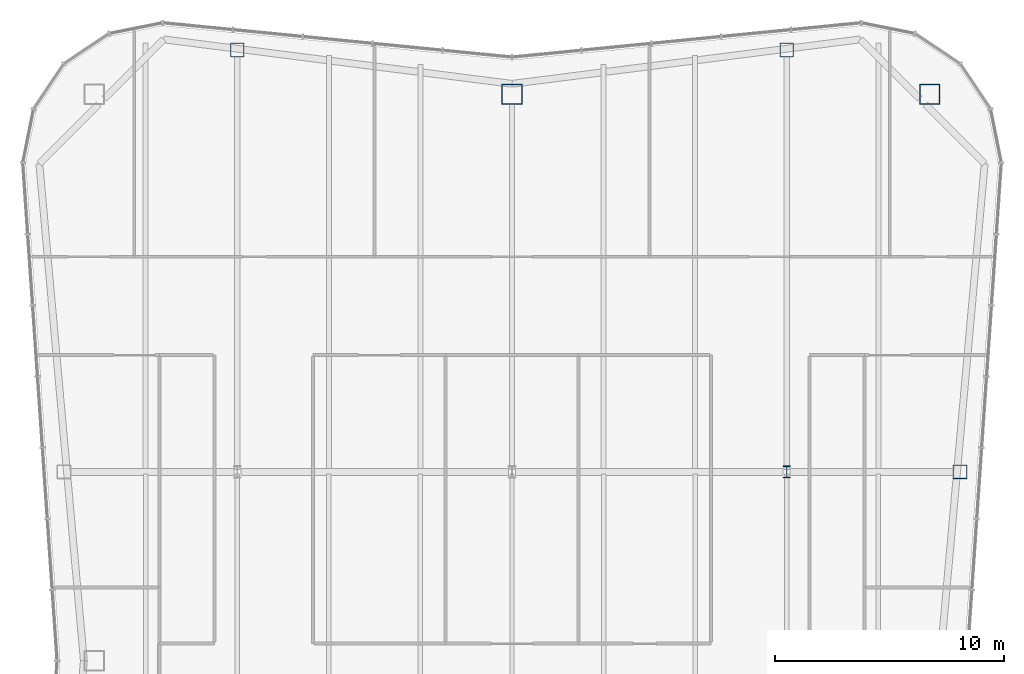
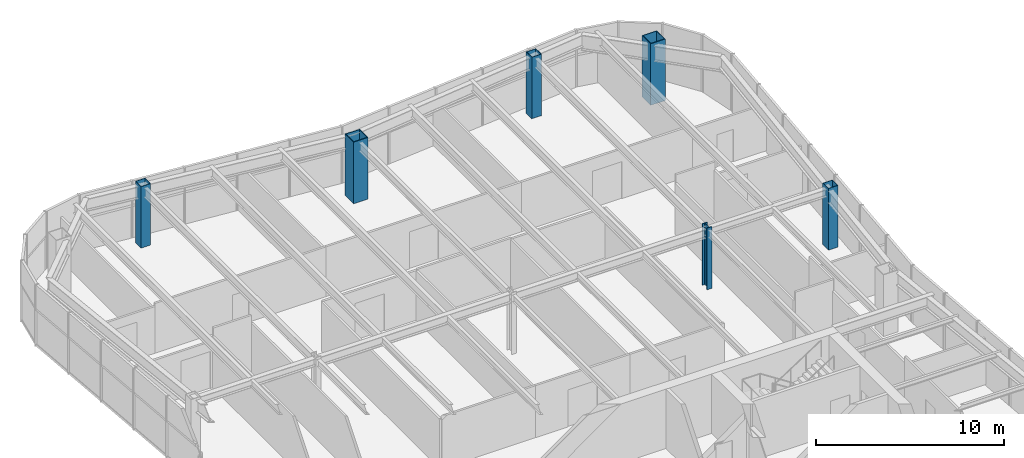
# One storey, part 2 of 13: 6 columns.
"""IFC4 building model written with IfcOpenShell, lengths in metres."""

import ifcopenshell
import ifcopenshell.guid

model = None  # the IFC model being written
_history = None  # IfcOwnerHistory: only IFC2X3 demands one
_inside = {}  # id of a spatial element -> (the spatial element, [elements in it])
_under = {}  # id of a project, library or spatial element -> (it, [spatial elements below it])
_declared = {}  # id of a project -> (the project, [libraries it declares])
_typed = {}  # id of a type object -> (the type object, [elements of that type])
_made_of = {}  # id of a material, layer set ... -> (it, [elements and type objects made of it])


def new_model(schema):
    """Start an empty IFC model of exactly this schema.

    Asked for "IFC4X3", IfcOpenShell would pick the latest addendum, in which some entities
    have other attributes; the version numbers below select the first issue.
    IFC2X3 requires an IfcOwnerHistory on every rooted entity: one is made here for all.
    """
    global model, _history
    if schema == "IFC4X3":
        model = ifcopenshell.file(schema_version=(4, 3, 0, 0))
    else:
        model = ifcopenshell.file(schema=schema)
    _inside.clear()
    _under.clear()
    _declared.clear()
    _typed.clear()
    _made_of.clear()
    _history = None
    if model.schema == "IFC2X3":
        org = make("IfcOrganization", Name="unknown")
        user = make(
            "IfcPersonAndOrganization",
            ThePerson=make("IfcPerson", FamilyName="unknown"),
            TheOrganization=org,
        )
        app = make(
            "IfcApplication",
            ApplicationDeveloper=org,
            Version="unknown",
            ApplicationFullName="unknown",
            ApplicationIdentifier="unknown",
        )
        _history = make(
            "IfcOwnerHistory",
            OwningUser=user,
            OwningApplication=app,
            ChangeAction="ADDED",
            CreationDate=0,
        )
    return model


def make(cls, **values):
    """One entity of the class cls with the attributes given. An attribute that is None is left unset."""
    return model.create_entity(
        cls, **{name: value for name, value in values.items() if value is not None}
    )


def rooted(cls, **values):
    """An entity with a GlobalId (a new one), such as an element, a storey or a relation."""
    return make(cls, GlobalId=ifcopenshell.guid.new(), OwnerHistory=_history, **values)


def si_unit(unit_type, name, prefix=None):
    """IfcSIUnit, for example si_unit("LENGTHUNIT", "METRE", prefix="MILLI")."""
    return make("IfcSIUnit", UnitType=unit_type, Prefix=prefix, Name=name)


def assignment(units):
    """IfcUnitAssignment: the units of a project."""
    return None if units is None else make("IfcUnitAssignment", Units=units)


def point(xyz):
    """IfcCartesianPoint."""
    return None if xyz is None else make("IfcCartesianPoint", Coordinates=xyz)


def direction(xyz):
    """IfcDirection."""
    return None if xyz is None else make("IfcDirection", DirectionRatios=xyz)


def frame(location, z_axis=None, x_axis=None):
    """IfcAxis2Placement3D, a coordinate frame: its origin and axes. An axis left out is left unset."""
    return make(
        "IfcAxis2Placement3D",
        Location=point(location),
        Axis=direction(z_axis),
        RefDirection=direction(x_axis),
    )


def frame_2d(location, x_axis=None):
    """IfcAxis2Placement2D, a coordinate frame in the plane: its origin and x axis."""
    return make(
        "IfcAxis2Placement2D", Location=point(location), RefDirection=direction(x_axis)
    )


def origin():
    """The frame at (0, 0, 0) with its axes left unset."""
    return frame((0.0, 0.0, 0.0))


def origin_2d():
    """The frame at (0, 0) in the plane with its x axis left unset."""
    return frame_2d((0.0, 0.0))


def place(relative_to, where):
    """IfcLocalPlacement: puts the frame where relative to a parent placement (None: the world)."""
    return make(
        "IfcLocalPlacement", PlacementRelTo=relative_to, RelativePlacement=where
    )


def context(
    kind, dimensions, precision=None, world=None, true_north=None, identifier=None
):
    """IfcGeometricRepresentationContext, for example the 3D "Model" context."""
    return make(
        "IfcGeometricRepresentationContext",
        ContextIdentifier=identifier,
        ContextType=kind,
        CoordinateSpaceDimension=dimensions,
        Precision=precision,
        WorldCoordinateSystem=world,
        TrueNorth=true_north,
    )


def subcontext(parent, identifier, kind, view, scale=None):
    """IfcGeometricRepresentationSubContext, for example "Body" below "Model"."""
    return make(
        "IfcGeometricRepresentationSubContext",
        ContextIdentifier=identifier,
        ContextType=kind,
        ParentContext=parent,
        TargetScale=scale,
        TargetView=view,
    )


def project(units=None, contexts=None):
    """IfcProject with its units and contexts."""
    return rooted(
        "IfcProject",
        Name="project",
        RepresentationContexts=contexts,
        UnitsInContext=assignment(units),
    )


def spatial(cls, under=None, at=None, **own):
    """A site, building, storey or space (cls), placed at a placement, below another one or the project."""
    s = rooted(cls, ObjectPlacement=at, **own)
    if under is not None:
        _under.setdefault(under.id(), (under, []))[1].append(s)
    return s


def profile(cls, at=None, kind="AREA", **sizes):
    """A parametric profile (cls). Its sizes go by their IFC names, for example OverallWidth=200.0."""
    return make(cls, ProfileType=kind, Position=at, **sizes)


def hollow_rectangle(**sizes):
    """IfcRectangleHollowProfileDef."""
    return profile("IfcRectangleHollowProfileDef", **sizes)


def i_section(**sizes):
    """IfcIShapeProfileDef."""
    return profile("IfcIShapeProfileDef", **sizes)


def extrude(swept, where, along, depth):
    """IfcExtrudedAreaSolid: the profile swept, set in the frame where, extruded along a direction by depth."""
    return make(
        "IfcExtrudedAreaSolid",
        SweptArea=swept,
        Position=where,
        ExtrudedDirection=direction(along),
        Depth=depth,
    )


def shape(context_of_items, identifier, shape_type, items):
    """IfcShapeRepresentation: the items that make up one representation, for example the "Body"."""
    return make(
        "IfcShapeRepresentation",
        ContextOfItems=context_of_items,
        RepresentationIdentifier=identifier,
        RepresentationType=shape_type,
        Items=items,
    )


def material(Name=None, Category=None):
    """IfcMaterial."""
    return make("IfcMaterial", Name=Name, Category=Category)


def material_profile(
    of_material, cross_section, Name=None, Category=None, Priority=None
):
    """IfcMaterialProfile: a cross section and its material."""
    return make(
        "IfcMaterialProfile",
        Name=Name,
        Material=of_material,
        Profile=cross_section,
        Priority=Priority,
        Category=Category,
    )


def profile_set(profiles, Name=None, composite=None):
    """IfcMaterialProfileSet."""
    return make(
        "IfcMaterialProfileSet",
        Name=Name,
        MaterialProfiles=profiles,
        CompositeProfile=composite,
    )


def made_of(thing, what):
    """Note that an element or type object is made of a material, layer set ...; save() writes the relation."""
    if what is not None:
        _made_of.setdefault(what.id(), (what, []))[1].append(thing)
    return thing


def type_object(cls, material=None, **own):
    """A type object (cls), such as IfcWallType, which elements share."""
    return made_of(rooted(cls, **own), material)


def element(
    cls,
    number,
    at=None,
    inside=None,
    cuts=None,
    type_object=None,
    material=None,
    context=None,
    identifier="Body",
    shape_type=None,
    held_by="IfcProductDefinitionShape",
    body=None,
    shapes=None,
    **own,
):
    """One element of the class cls, such as IfcWall. Its Tag is "e" and its number.

    at: its placement. inside: the storey or other place that contains it. cuts: it is an
    opening in that element (IfcRelVoidsElement). A single representation is given by context,
    identifier, shape_type and body (its items); several are given by shapes. held_by: the class
    of the entity that holds the representations. save() writes the other relations.
    """
    e = rooted(cls, Tag="e%d" % number, ObjectPlacement=at, **own)
    if body is not None:
        shapes = [shape(context, identifier, shape_type, body)]
    if shapes is not None:
        e.Representation = make(held_by, Representations=shapes)
    if inside is not None:
        _inside.setdefault(inside.id(), (inside, []))[1].append(e)
    if cuts is not None:
        rooted(
            "IfcRelVoidsElement", RelatingBuildingElement=cuts, RelatedOpeningElement=e
        )
    if type_object is not None:
        _typed.setdefault(type_object.id(), (type_object, []))[1].append(e)
    return made_of(e, material)


def aggregate(whole, parts):
    """IfcRelAggregates: a whole, such as a stair, and the parts it consists of."""
    return rooted("IfcRelAggregates", RelatingObject=whole, RelatedObjects=parts)


def save(model, path):
    """Write the relations noted so far, then the file.

    IfcRelAggregates (storeys below a building ...), IfcRelContainedInSpatialStructure (elements
    in a storey), IfcRelDefinesByType, IfcRelAssociatesMaterial and IfcRelDeclares: one each for
    every whole, place, type object, material and project.
    """
    for whole, parts in _under.values():
        aggregate(whole, parts)
    for where, things in _inside.values():
        rooted(
            "IfcRelContainedInSpatialStructure",
            RelatedElements=things,
            RelatingStructure=where,
        )
    for kind, things in _typed.values():
        rooted("IfcRelDefinesByType", RelatedObjects=things, RelatingType=kind)
    for what, things in _made_of.values():
        rooted("IfcRelAssociatesMaterial", RelatedObjects=things, RelatingMaterial=what)
    for by, libraries in _declared.values():
        rooted("IfcRelDeclares", RelatingContext=by, RelatedDefinitions=libraries)
    model.write(path)


model = new_model("IFC4")

# Units and contexts
model_context = context("Model", 3, precision=1e-05, world=origin(), true_north=direction((0.0, 1.0)))
body_context = subcontext(model_context, "Body", "Model", "MODEL_VIEW")
ifc_project = project(units=[si_unit("LENGTHUNIT", "METRE"), si_unit("AREAUNIT", "SQUARE_METRE"), si_unit("VOLUMEUNIT", "CUBIC_METRE"), si_unit("PLANEANGLEUNIT", "RADIAN"), si_unit("MASSUNIT", "GRAM", prefix="KILO")], contexts=[model_context])

# Site, building, storey
site_placement = place(None, origin())
site = spatial("IfcSite", under=ifc_project, at=site_placement, CompositionType="ELEMENT")
building_placement = place(site_placement, origin())
building = spatial("IfcBuilding", under=site, at=building_placement, Name="Verdant Reach Tower", CompositionType="ELEMENT")
storey_placement = place(building_placement, frame((0.0, 0.0, 364.0)))
storey = spatial("IfcBuildingStorey", under=building, at=storey_placement, Name="L82 Plant", CompositionType="ELEMENT", Elevation=364.0)

# Columns
ifc_material = material(Name="Steel S460", Category="steel")
ifc_material_profile_1 = material_profile(ifc_material, i_section(OverallWidth=0.305908203125, OverallDepth=0.52392578125, WebThickness=0.012451171875, FlangeThickness=0.0400390625, FilletRadius=0.027099609375, at=origin_2d()), Name="HEM 500")
ifc_profile_set_1 = profile_set([ifc_material_profile_1], Name="Steel S460")
column_type_1 = type_object("IfcColumnType", Name="ST-COL-HEM500", PredefinedType="COLUMN", material=ifc_profile_set_1)
column_placement = place(storey_placement, frame((12.0, 49.5, 0.0), z_axis=(0.0, 0.0, 1.0), x_axis=(1.0, 0.0, 0.0)))
element("IfcColumn", 1, at=column_placement, inside=storey, type_object=column_type_1, Name="Interior column 3, L82 Plant", PredefinedType="COLUMN", context=body_context, shape_type="SweptSolid", body=[
    extrude(i_section(OverallWidth=0.305908203125, OverallDepth=0.52392578125, WebThickness=0.012451171875, FlangeThickness=0.0400390625, FilletRadius=0.027099609375, at=origin_2d()), origin(), (0.0, 0.0, 1.0), 4.0),
])
ifc_material_profile_2 = material_profile(ifc_material, hollow_rectangle(XDim=0.60009765625, YDim=0.60009765625, WallThickness=0.02490234375, at=origin_2d()), Name="WB 600x600x25")
ifc_profile_set_2 = profile_set([ifc_material_profile_2], Name="Steel S460")
column_type_2 = type_object("IfcColumnType", Name="ST-COL-WB600x600x25", PredefinedType="COLUMN", material=ifc_profile_set_2)
for number, where, z_axis, x_axis, name in (
    (2, (-12.0, 67.930419921875, 0.0), (0.0, 0.0, 1.0), (1.0, 0.0, 0.0), "Perimeter column north 1, L82 Plant"),
    (3, (12.0, 67.930419921875, 0.0), (0.0, 0.0, 1.0), (1.0, 0.0, 0.0), "Perimeter column north 2, L82 Plant"),
    (4, (19.569091796875, 49.5, 0.0), (0.0, 0.0, 1.0), (1.0, 0.0, 0.0), "Perimeter column east 2, L82 Plant"),
):
    element("IfcColumn", number, at=place(storey_placement, frame(where, z_axis=z_axis, x_axis=x_axis)), inside=storey, type_object=column_type_2, Name=name, PredefinedType="COLUMN", context=body_context, shape_type="SweptSolid", body=[
        extrude(hollow_rectangle(XDim=0.60009765625, YDim=0.60009765625, WallThickness=0.02490234375, at=origin_2d()), origin(), (0.0, 0.0, 1.0), 4.0),
    ])
ifc_material_profile_3 = material_profile(ifc_material, hollow_rectangle(XDim=0.89990234375, YDim=0.89990234375, WallThickness=0.0400390625, at=origin_2d()), Name="WB 900x900x40")
ifc_profile_set_3 = profile_set([ifc_material_profile_3], Name="Steel S460")
column_type_3 = type_object("IfcColumnType", Name="ST-COL-WB900x900x40", PredefinedType="COLUMN", material=ifc_profile_set_3)
for number, where, z_axis, x_axis, name in (
    (5, (0.0, 66.0, 0.0), (0.0, 0.0, 1.0), (1.0, 0.0, 0.0), "Mega column north, L82 Plant"),
    (6, (18.25, 66.0, 0.0), (0.0, 0.0, 1.0), (1.0, 0.0, 0.0), "Mega column north-east, L82 Plant"),
):
    element("IfcColumn", number, at=place(storey_placement, frame(where, z_axis=z_axis, x_axis=x_axis)), inside=storey, type_object=column_type_3, Name=name, PredefinedType="COLUMN", context=body_context, shape_type="SweptSolid", body=[
        extrude(hollow_rectangle(XDim=0.89990234375, YDim=0.89990234375, WallThickness=0.0400390625, at=origin_2d()), origin(), (0.0, 0.0, 1.0), 4.0),
    ])

save(model, "model.ifc")
